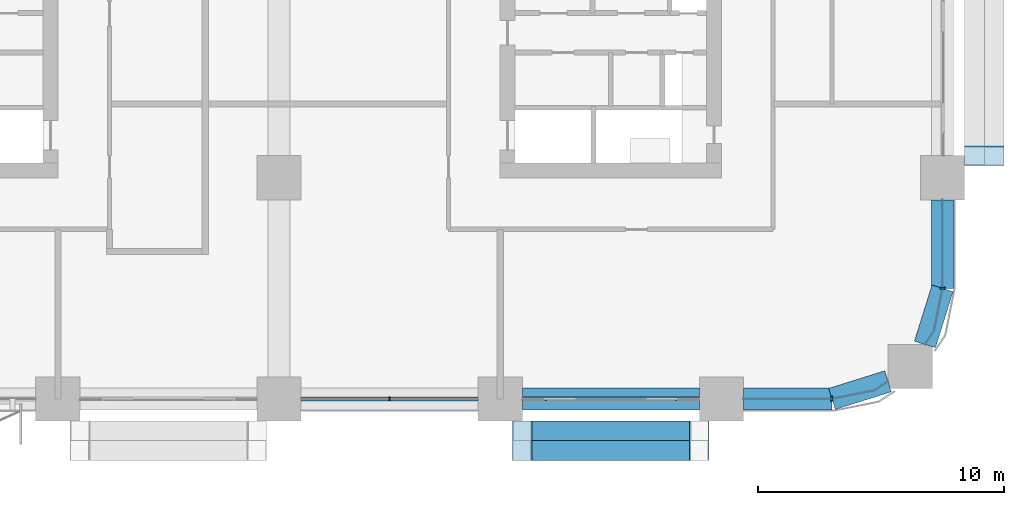
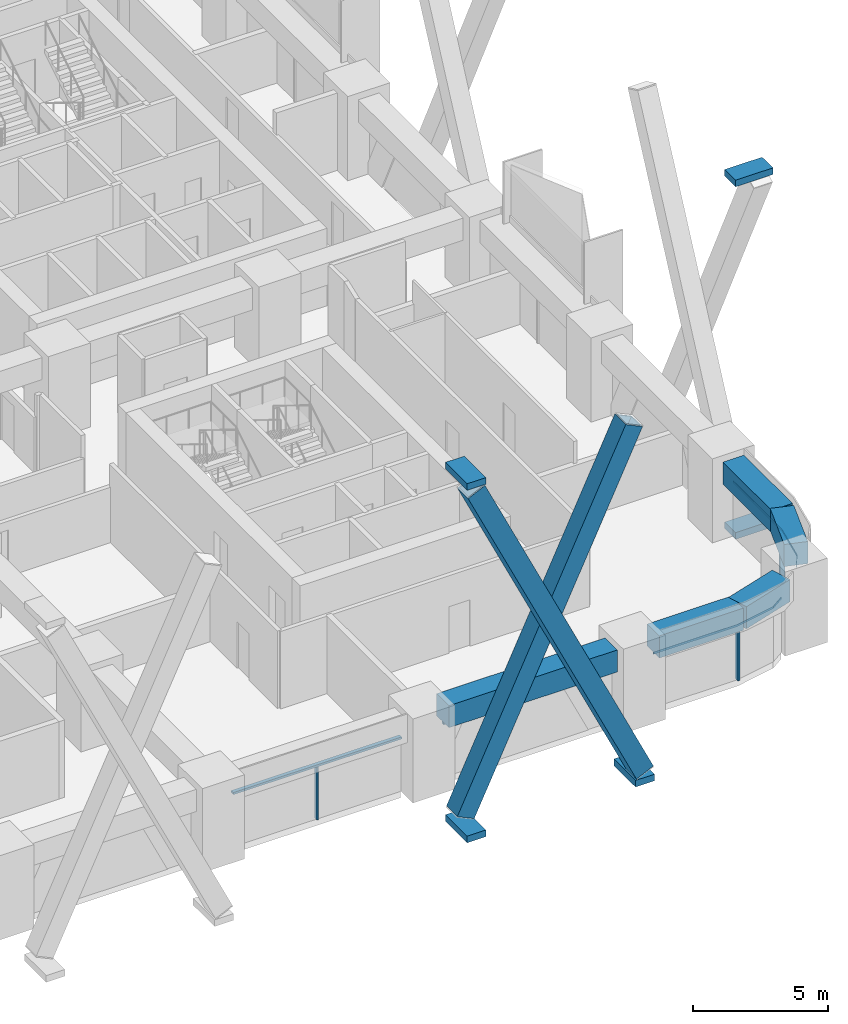
# One storey, part 4 of 23: 14 members, 5 beams, 4 elements without a shape of their own.
"""IFC4 building model written with IfcOpenShell, lengths in metres."""

from ifc_helpers import new_model, si_unit, direction, frame, origin, origin_2d, place, context, subcontext, project, spatial, polyline, rectangle, hollow_rectangle, outline, extrude, material, layer, layer_set, material_profile, profile_set, type_object, element, aggregate, save


model = new_model("IFC4")

# Units and contexts
model_context = context("Model", 3, precision=1e-05, world=origin(), true_north=direction((0.0, 1.0)))
body_context = subcontext(model_context, "Body", "Model", "MODEL_VIEW")
ifc_project = project(units=[si_unit("LENGTHUNIT", "METRE"), si_unit("AREAUNIT", "SQUARE_METRE"), si_unit("VOLUMEUNIT", "CUBIC_METRE"), si_unit("PLANEANGLEUNIT", "RADIAN"), si_unit("MASSUNIT", "GRAM", prefix="KILO")], contexts=[model_context])

# Site, building, storey
site_placement = place(None, origin())
site = spatial("IfcSite", under=ifc_project, at=site_placement, CompositionType="ELEMENT")
building_placement = place(site_placement, origin())
building = spatial("IfcBuilding", under=site, at=building_placement, Name="Tessera Arch", CompositionType="ELEMENT")
storey_placement = place(building_placement, frame((0.0, 0.0, 46.199951171875)))
storey = spatial("IfcBuildingStorey", under=building, at=storey_placement, Name="L09", CompositionType="ELEMENT", Elevation=46.199951171875)

# Members
ifc_material_1 = material(Name="Steel A572 Gr50", Category="steel")
ifc_material_profile_1 = material_profile(ifc_material_1, hollow_rectangle(XDim=0.800048828125, YDim=0.800048828125, WallThickness=0.06005859375, at=origin_2d()), Name="BOX 800x800x60")
ifc_profile_set_1 = profile_set([ifc_material_profile_1], Name="Steel A572 Gr50")
member_type_1 = type_object("IfcMemberType", Name="Brace BOX 800x800x60 Steel A572 Gr50", PredefinedType="BRACE", material=ifc_profile_set_1)
for number, where, z_axis, x_axis, name in (
    (1, (36.89990234375, -1.300048828125, -0.800048828125), (0.428091336491, 0.0, 0.903735474363), (0.0, 1.0, 0.0), "Brace S0.0-3 A L09-L12"),
    (2, (44.10009765625, -2.10009765625, -0.800048828125), (-0.428091336491, 0.0, 0.903735474363), (0.0, -1.0, 0.0), "Brace S0.0-3 B L09-L12"),
):
    element("IfcMember", number, at=place(storey_placement, frame(where, z_axis=z_axis, x_axis=x_axis)), inside=storey, type_object=member_type_1, Name=name, PredefinedType="BRACE", context=body_context, shape_type="SweptSolid", body=[
        extrude(hollow_rectangle(XDim=0.800048828125, YDim=0.800048828125, WallThickness=0.06005859375, at=origin_2d()), origin(), (0.0, 0.0, 1.0), 16.8193359375),
    ])

# Curtain wall, members
ifc_material_2 = material(Name="CW1 curtain wall")
curtain_wall_type_1 = type_object("IfcCurtainWallType", Name="CW1 curtain wall", PredefinedType="NOTDEFINED", material=ifc_material_2)
curtain_wall_1_placement = place(storey_placement, origin())
curtain_wall_1 = element("IfcCurtainWall", 3, at=curtain_wall_1_placement, inside=storey, type_object=curtain_wall_type_1, Name="CW1 curtain wall S0.0/2 L09", PredefinedType="NOTDEFINED")
ifc_material_3 = material(Name="Anodised aluminium pale metal", Category="aluminium")
ifc_material_profile_2 = material_profile(ifc_material_3, rectangle(XDim=0.159912109375, YDim=0.06005859375, at=origin_2d()), Name="AL 60x160")
ifc_profile_set_2 = profile_set([ifc_material_profile_2], Name="Anodised aluminium pale metal")
member_type_2 = type_object("IfcMemberType", Name="CW1 mullion", PredefinedType="MULLION", material=ifc_profile_set_2)
member_1_placement = place(storey_placement, frame((31.5, 0.0, 0.0), z_axis=(0.0, 0.0, 1.0), x_axis=(0.0, 1.0, 0.0)))
member_1 = element("IfcMember", 4, at=member_1_placement, type_object=member_type_2, Name="CW1 mullion S0.0/2 1", PredefinedType="MULLION", context=body_context, shape_type="SweptSolid", body=[
    extrude(rectangle(XDim=0.159912109375, YDim=0.06005859375, at=origin_2d()), origin(), (0.0, 0.0, 1.0), 2.400146484375),
])
ifc_material_4 = material(Name="Anodised aluminium pale metal", Category="aluminium")
ifc_material_profile_3 = material_profile(ifc_material_4, rectangle(XDim=0.159912109375, YDim=0.10009765625, at=origin_2d()), Name="AL 160x100")
ifc_profile_set_3 = profile_set([ifc_material_profile_3], Name="Anodised aluminium pale metal")
member_type_3 = type_object("IfcMemberType", Name="CW1 transom", PredefinedType="USERDEFINED", material=ifc_profile_set_3)
member_2_placement = place(storey_placement, frame((27.89990234375, 0.0, 2.449951171875), z_axis=(1.0, 0.0, 0.0), x_axis=(0.0, 1.0, 0.0)))
member_2 = element("IfcMember", 5, at=member_2_placement, type_object=member_type_3, Name="CW1 transom S0.0/2 1.1", ObjectType="TRANSOM", PredefinedType="USERDEFINED", context=body_context, shape_type="SweptSolid", body=[
    extrude(rectangle(XDim=0.159912109375, YDim=0.10009765625, at=origin_2d()), origin(), (0.0, 0.0, 1.0), 7.2001953125),
])
aggregate(curtain_wall_1, [member_1, member_2])

# Curtain wall, member
ifc_material_5 = material(Name="CW2 curtain wall")
curtain_wall_type_2 = type_object("IfcCurtainWallType", Name="CW2 curtain wall", PredefinedType="NOTDEFINED", material=ifc_material_5)
curtain_wall_2_placement = place(storey_placement, origin())
curtain_wall_2 = element("IfcCurtainWall", 6, at=curtain_wall_2_placement, inside=storey, type_object=curtain_wall_type_2, Name="CW2 curtain wall S0.0/4 L09", PredefinedType="NOTDEFINED")
ifc_material_6 = material(Name="Anodised aluminium pale metal", Category="aluminium")
ifc_material_profile_4 = material_profile(ifc_material_6, rectangle(XDim=0.199951171875, YDim=0.080078125, at=origin_2d()), Name="AL 80x200")
ifc_profile_set_4 = profile_set([ifc_material_profile_4], Name="Anodised aluminium pale metal")
member_type_4 = type_object("IfcMemberType", Name="CW2 mullion", PredefinedType="MULLION", material=ifc_profile_set_4)
member_3_placement = place(storey_placement, frame((49.5, 0.0, 0.0), z_axis=(0.0, 0.0, 1.0), x_axis=(0.0, 1.0, 0.0)))
member_3 = element("IfcMember", 7, at=member_3_placement, type_object=member_type_4, Name="CW2 mullion S0.0/4 1", PredefinedType="MULLION", context=body_context, shape_type="SweptSolid", body=[
    extrude(rectangle(XDim=0.199951171875, YDim=0.080078125, at=origin_2d()), origin(), (0.0, 0.0, 1.0), 2.400146484375),
])

curtain_wall_3_placement = place(storey_placement, origin())
curtain_wall_3 = element("IfcCurtainWall", 8, at=curtain_wall_3_placement, inside=storey, type_object=curtain_wall_type_2, Name="CW2 curtain wall E54.0/0 L09", PredefinedType="NOTDEFINED")
member_4_placement = place(storey_placement, frame((54.0, 4.5, 0.0), z_axis=(0.0, 0.0, 1.0), x_axis=(-1.0, 0.0, 0.0)))
member_4 = element("IfcMember", 9, at=member_4_placement, type_object=member_type_4, Name="CW2 mullion E54.0/0 1", PredefinedType="MULLION", context=body_context, shape_type="SweptSolid", body=[
    extrude(rectangle(XDim=0.199951171875, YDim=0.080078125, at=origin_2d()), origin(), (0.0, 0.0, 1.0), 2.400146484375),
])

# Member
ifc_material_7 = material(Name="Anodised aluminium pale metal", Category="aluminium")
ifc_material_profile_5 = material_profile(ifc_material_7, rectangle(XDim=0.199951171875, YDim=0.10009765625, at=origin_2d()), Name="AL 200x100")
ifc_profile_set_5 = profile_set([ifc_material_profile_5], Name="Anodised aluminium pale metal")
member_type_5 = type_object("IfcMemberType", Name="CW2 transom", PredefinedType="USERDEFINED", material=ifc_profile_set_5)
member_5_placement = place(storey_placement, frame((0.0, 0.0, 2.400146484375)))
member_5 = element("IfcMember", 10, at=member_5_placement, type_object=member_type_5, Name="CW2 transom S0.0/4 1", ObjectType="TRANSOM", PredefinedType="USERDEFINED", context=body_context, shape_type="SweptSolid", body=[
    extrude(outline(polyline([(49.4990234375, 0.010009765625), (45.89990234375, 0.010009765625), (45.89990234375, -0.010009765625), (49.5009765625, -0.010009765625), (51.22607421875, 0.3330078125), (51.78759765625, 0.70849609375), (51.7763671875, 0.72509765625), (51.21826171875, 0.351806640625), (49.4990234375, 0.010009765625)])), origin(), (0.0, 0.0, 1.0), 0.099853515625),
])

aggregate(curtain_wall_2, [member_3, member_5])

member_6_placement = place(storey_placement, frame((0.0, 0.0, 2.400146484375)))
member_6 = element("IfcMember", 11, at=member_6_placement, type_object=member_type_5, Name="CW2 transom E54.0/0 1", ObjectType="TRANSOM", PredefinedType="USERDEFINED", context=body_context, shape_type="SweptSolid", body=[
    extrude(outline(polyline([(53.648193359375, 2.78173828125), (53.27490234375, 2.2236328125), (53.29150390625, 2.21240234375), (53.6669921875, 2.77392578125), (54.010009765625, 4.4990234375), (54.010009765625, 8.10009765625), (53.989990234375, 8.10009765625), (53.989990234375, 4.5009765625), (53.648193359375, 2.78173828125)])), origin(), (0.0, 0.0, 1.0), 0.099853515625),
])

aggregate(curtain_wall_3, [member_4, member_6])

# Curtain wall, member
ifc_material_8 = material(Name="CW3 curtain wall")
curtain_wall_type_3 = type_object("IfcCurtainWallType", Name="CW3 curtain wall", PredefinedType="NOTDEFINED", material=ifc_material_8)
curtain_wall_4_placement = place(storey_placement, origin())
curtain_wall_4 = element("IfcCurtainWall", 12, at=curtain_wall_4_placement, inside=storey, type_object=curtain_wall_type_3, Name="CW3 curtain wall S0.0/3 L09", PredefinedType="NOTDEFINED")
ifc_material_9 = material(Name="Anodised aluminium pale metal", Category="aluminium")
ifc_material_profile_6 = material_profile(ifc_material_9, rectangle(XDim=0.139892578125, YDim=0.10009765625, at=origin_2d()), Name="AL 140x100")
ifc_profile_set_6 = profile_set([ifc_material_profile_6], Name="Anodised aluminium pale metal")
member_type_6 = type_object("IfcMemberType", Name="CW3 transom", PredefinedType="USERDEFINED", material=ifc_profile_set_6)
member_7_placement = place(storey_placement, frame((36.89990234375, 0.0, 2.449951171875), z_axis=(1.0, 0.0, 0.0), x_axis=(0.0, 1.0, 0.0)))
member_7 = element("IfcMember", 13, at=member_7_placement, type_object=member_type_6, Name="CW3 transom S0.0/3 1.1", ObjectType="TRANSOM", PredefinedType="USERDEFINED", context=body_context, shape_type="SweptSolid", body=[
    extrude(rectangle(XDim=0.139892578125, YDim=0.10009765625, at=origin_2d()), origin(), (0.0, 0.0, 1.0), 7.2001953125),
])
aggregate(curtain_wall_4, [member_7])

# Members
ifc_material_10 = material(Name="Steel A572 Gr50", Category="steel")
ifc_layer = layer(ifc_material_10, 0.050048828125)
ifc_layer_set = layer_set([ifc_layer], Name="Node block Steel A572 Gr50")
member_type_7 = type_object("IfcMemberType", Name="Node block Steel A572 Gr50", PredefinedType="PLATE", material=ifc_layer_set)
for number, where, z_axis, x_axis, name in (
    (14, (44.10009765625, -1.699951171875, -1.31640625), (0.0, 0.0, 1.0), (1.0, 0.0, 0.0), "Node block seat S0.0-3 1 L09"),
    (15, (36.89990234375, -1.699951171875, -1.31640625), (0.0, 0.0, 1.0), (1.0, 0.0, 0.0), "Node block seat S0.0-3 2 L09"),
    (16, (36.89990234375, -1.699951171875, 14.6162109375), (0.0, 0.0, 1.0), (1.0, 0.0, 0.0), "Node block head S0.0-3 B L09"),
    (17, (55.699951171875, 9.89990234375, -1.31640625), (0.0, 0.0, 1.0), (0.0, 1.0, 0.0), "Node block seat E54.0-1 2 L09"),
    (18, (55.699951171875, 9.89990234375, 14.6162109375), (0.0, 0.0, 1.0), (0.0, 1.0, 0.0), "Node block head E54.0-1 B L09"),
):
    element("IfcMember", number, at=place(storey_placement, frame(where, z_axis=z_axis, x_axis=x_axis)), inside=storey, type_object=member_type_7, Name=name, PredefinedType="PLATE", context=body_context, shape_type="SweptSolid", body=[
        extrude(rectangle(XDim=0.800048828125, YDim=1.60009765625, at=origin_2d()), origin(), (0.0, 0.0, 1.0), 0.300048828125),
    ])

# Beams
ifc_material_11 = material(Name="Concrete C80/95", Category="concrete")
ifc_material_profile_7 = material_profile(ifc_material_11, rectangle(XDim=0.89990234375, YDim=1.0, at=origin_2d()), Name="RC spandrel beam 900 x 1000 Concrete C80/95")
ifc_profile_set_7 = profile_set([ifc_material_profile_7], Name="Concrete C80/95")
beam_type = type_object("IfcBeamType", Name="RC spandrel beam 900 x 1000 Concrete C80/95", PredefinedType="BEAM", material=ifc_profile_set_7)
beam_1_placement = place(storey_placement, frame((36.89990234375, 0.0, 3.0), z_axis=(1.0, 0.0, 0.0), x_axis=(0.0, 1.0, 0.0)))
element("IfcBeam", 19, at=beam_1_placement, inside=storey, type_object=beam_type, Name="Spandrel beam L09 S0.0/3", PredefinedType="BEAM", context=body_context, shape_type="SweptSolid", body=[
    extrude(rectangle(XDim=0.89990234375, YDim=1.0, at=origin_2d()), origin(), (0.0, 0.0, 1.0), 7.2001953125),
])
beam_2_placement = place(storey_placement, frame((45.89990234375, 0.0, 3.0), z_axis=(1.0, 0.0, 0.0), x_axis=(0.0, 1.0, 0.0)))
element("IfcBeam", 20, at=beam_2_placement, inside=storey, type_object=beam_type, Name="Spandrel beam L09 S0.0/4.1", PredefinedType="BEAM", context=body_context, shape_type="SweptSolid", body=[
    extrude(rectangle(XDim=0.89990234375, YDim=1.0, at=origin_2d()), origin(), (0.0, 0.0, 1.0), 3.60009765625),
])
for number, where, z_axis, x_axis, name in (
    (21, (49.5, 0.0, 3.0), (0.954041251279, 0.299675309057, 0.0), (-0.299675309057, 0.954041251279, 0.0), "Spandrel beam L09 S0.0/4.2"),
    (22, (53.283203125, 2.218017578125, 3.0), (0.299675309057, 0.954041251279, 0.0), (-0.954041251279, 0.299675309057, 0.0), "Spandrel beam L09 E54.0/0.1"),
):
    element("IfcBeam", number, at=place(storey_placement, frame(where, z_axis=z_axis, x_axis=x_axis)), inside=storey, type_object=beam_type, Name=name, PredefinedType="BEAM", context=body_context, shape_type="SweptSolid", body=[
        extrude(rectangle(XDim=0.89990234375, YDim=1.0, at=origin_2d()), origin(), (0.0, 0.0, 1.0), 2.391845703125),
    ])
beam_3_placement = place(storey_placement, frame((54.0, 4.5, 3.0), z_axis=(0.0, 1.0, 0.0), x_axis=(-1.0, 0.0, 0.0)))
element("IfcBeam", 23, at=beam_3_placement, inside=storey, type_object=beam_type, Name="Spandrel beam L09 E54.0/0.2", PredefinedType="BEAM", context=body_context, shape_type="SweptSolid", body=[
    extrude(rectangle(XDim=0.89990234375, YDim=1.0, at=origin_2d()), origin(), (0.0, 0.0, 1.0), 3.60009765625),
])

save(model, "model.ifc")
